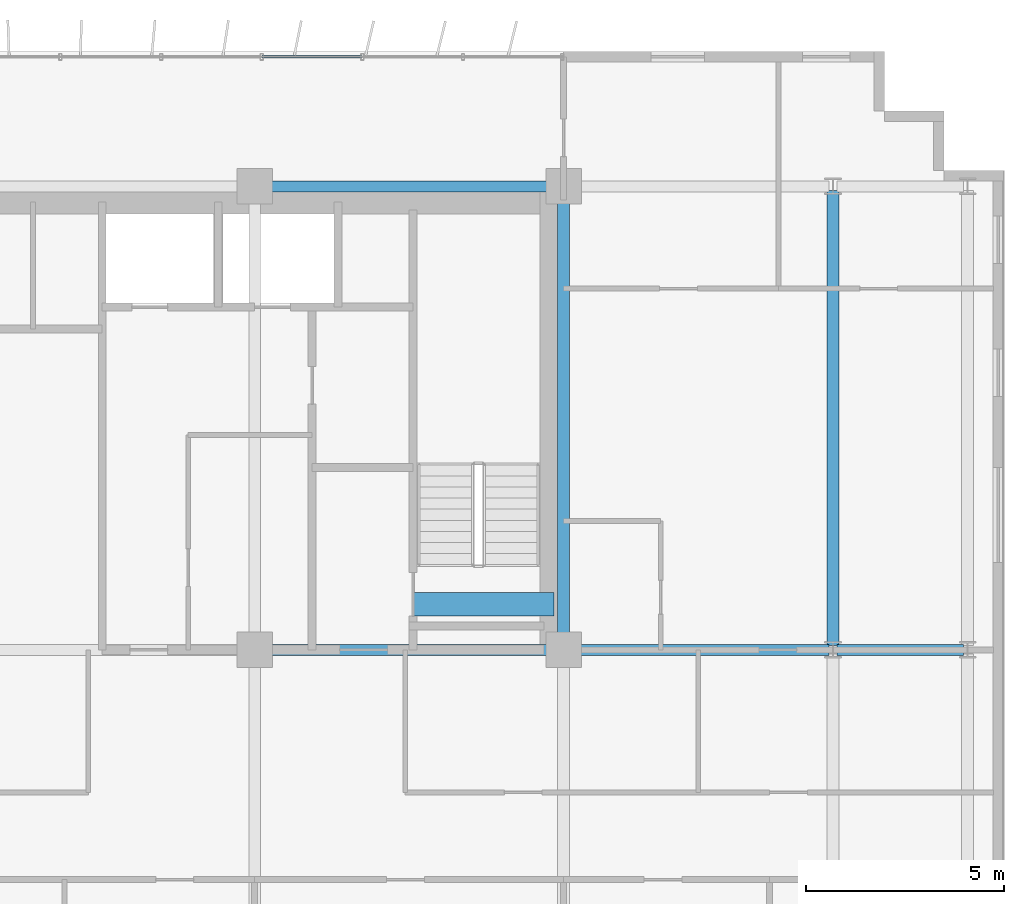
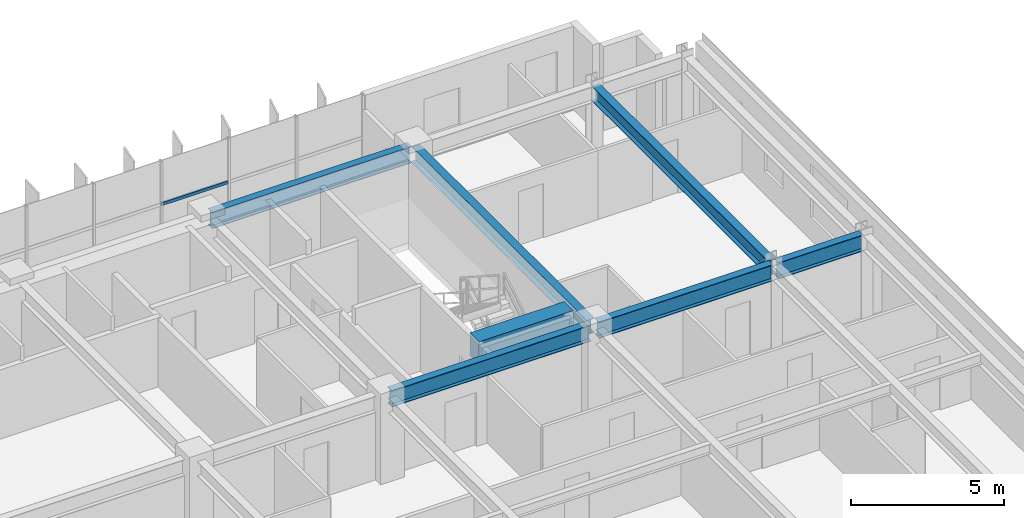
# One storey, part 11 of 22: 7 beams, 1 member, 1 element without a shape of its own.
"""IFC4 building model written with IfcOpenShell, lengths in metres."""

from ifc_helpers import new_model, si_unit, direction, frame, origin, origin_2d, place, context, subcontext, project, spatial, rectangle, hollow_rectangle, i_section, extrude, source, transform, mapped, material, material_profile, profile_set, type_object, element, aggregate, save


model = new_model("IFC4")

# Units and contexts
model_context = context("Model", 3, precision=1e-05, world=origin(), true_north=direction((0.0, 1.0)))
body_context = subcontext(model_context, "Body", "Model", "MODEL_VIEW")
ifc_project = project(units=[si_unit("LENGTHUNIT", "METRE"), si_unit("AREAUNIT", "SQUARE_METRE"), si_unit("VOLUMEUNIT", "CUBIC_METRE"), si_unit("PLANEANGLEUNIT", "RADIAN"), si_unit("MASSUNIT", "GRAM", prefix="KILO")], contexts=[model_context])

# Site, building, storey
site_placement = place(None, origin())
site = spatial("IfcSite", under=ifc_project, at=site_placement, CompositionType="ELEMENT")
building_placement = place(site_placement, origin())
building = spatial("IfcBuilding", under=site, at=building_placement, Name="Trelvane Seafront Commons", CompositionType="ELEMENT")
storey_placement = place(building_placement, frame((0.0, 0.0, 52.300048828125)))
storey = spatial("IfcBuildingStorey", under=building, at=storey_placement, Name="L13", CompositionType="ELEMENT", Elevation=52.300048828125)

# Beams
ifc_material_1 = material(Name="Concrete C60/75", Category="concrete")
ifc_material_profile_1 = material_profile(ifc_material_1, rectangle(XDim=0.60009765625, YDim=0.89990234375, at=origin_2d()), Name="RC-600x900")
ifc_profile_set_1 = profile_set([ifc_material_profile_1], Name="Concrete C60/75")
beam_type_1 = type_object("IfcBeamType", Name="STR-LNT-RC600x900", PredefinedType="LINTEL", material=ifc_profile_set_1)
shared_shape_1 = source(origin(), body_context, "Body", "SweptSolid", [
    extrude(rectangle(XDim=0.60009765625, YDim=0.89990234375, at=origin_2d()), origin(), (0.0, 0.0, 1.0), 3.550048828125),
])
beam_1_placement = place(storey_placement, frame((55.0, 34.550048828125, 2.889892578125), z_axis=(1.0, 0.0, 0.0), x_axis=(0.0, 1.0, 0.0)))
element("IfcBeam", 1, at=beam_1_placement, inside=storey, type_object=beam_type_1, Name="L13 Core Coupling Lintel Beam CB-86", PredefinedType="LINTEL", context=body_context, shape_type="MappedRepresentation", body=[
    mapped(shared_shape_1, transform((0.0, 0.0, 0.0), x_axis=(1.0, 0.0, 0.0), y_axis=(0.0, 1.0, 0.0), z_axis=(0.0, 0.0, 1.0), scale=1.0)),
])
ifc_material_2 = material(Name="Steel SM355 (S355)", Category="steel")
ifc_material_profile_2 = material_profile(ifc_material_2, i_section(OverallWidth=0.280029296875, OverallDepth=0.64990234375, WebThickness=0.012939453125, FlangeThickness=0.02197265625, at=origin_2d()), Name="H-650x280x13x22")
ifc_profile_set_2 = profile_set([ifc_material_profile_2], Name="Steel SM355 (S355)")
beam_type_2 = type_object("IfcBeamType", Name="STR-BM-H650", PredefinedType="BEAM", material=ifc_profile_set_2)
shared_shape_2 = source(origin(), body_context, "Body", "SweptSolid", [
    extrude(i_section(OverallWidth=0.280029296875, OverallDepth=0.64990234375, WebThickness=0.012939453125, FlangeThickness=0.02197265625, at=origin_2d()), origin(), (0.0, 0.0, 1.0), 3.18994140625),
])
beam_2_placement = place(storey_placement, frame((65.705078125, 33.39990234375, 3.014892578125), z_axis=(1.0, 0.0, 0.0), x_axis=(0.0, 1.0, 0.0)))
element("IfcBeam", 2, at=beam_2_placement, inside=storey, type_object=beam_type_2, Name="L13 Primary Girder G-27", PredefinedType="BEAM", context=body_context, shape_type="MappedRepresentation", body=[
    mapped(shared_shape_2, transform((0.0, 0.0, 0.0), x_axis=(1.0, 0.0, 0.0), y_axis=(0.0, 1.0, 0.0), z_axis=(0.0, 0.0, 1.0), scale=1.0)),
])
shared_shape_3 = source(origin(), body_context, "Body", "SweptSolid", [
    extrude(i_section(OverallWidth=0.280029296875, OverallDepth=0.64990234375, WebThickness=0.012939453125, FlangeThickness=0.02197265625, at=origin_2d()), origin(), (0.0, 0.0, 1.0), 6.545166015625),
])
beam_3_placement = place(storey_placement, frame((58.949951171875, 33.39990234375, 3.014892578125), z_axis=(1.0, 0.0, 0.0), x_axis=(0.0, 1.0, 0.0)))
element("IfcBeam", 3, at=beam_3_placement, inside=storey, type_object=beam_type_2, Name="L13 Primary Girder G-26", PredefinedType="BEAM", context=body_context, shape_type="MappedRepresentation", body=[
    mapped(shared_shape_3, transform((0.0, 0.0, 0.0), x_axis=(1.0, 0.0, 0.0), y_axis=(0.0, 1.0, 0.0), z_axis=(0.0, 0.0, 1.0), scale=1.0)),
])
shared_shape_4 = source(origin(), body_context, "Body", "SweptSolid", [
    extrude(i_section(OverallWidth=0.280029296875, OverallDepth=0.64990234375, WebThickness=0.012939453125, FlangeThickness=0.02197265625, at=origin_2d()), origin(), (0.0, 0.0, 1.0), 7.5),
])
for number, where, z_axis, x_axis, name in (
    (4, (51.14990234375, 33.39990234375, 3.014892578125), (1.0, 0.0, 0.0), (0.0, 1.0, 0.0), "L13 Primary Girder G-25"),
    (5, (51.14990234375, 45.10009765625, 3.014892578125), (1.0, 0.0, 0.0), (0.0, 1.0, 0.0), "L13 Primary Girder G-34"),
):
    element("IfcBeam", number, at=place(storey_placement, frame(where, z_axis=z_axis, x_axis=x_axis)), inside=storey, type_object=beam_type_2, Name=name, PredefinedType="BEAM", context=body_context, shape_type="MappedRepresentation", body=[
        mapped(shared_shape_4, transform((0.0, 0.0, 0.0), x_axis=(1.0, 0.0, 0.0), y_axis=(0.0, 1.0, 0.0), z_axis=(0.0, 0.0, 1.0), scale=1.0)),
    ])
ifc_material_profile_3 = material_profile(ifc_material_2, i_section(OverallWidth=0.300048828125, OverallDepth=0.587890625, WebThickness=0.011962890625, FlangeThickness=0.02001953125, at=origin_2d()), Name="H-588x300x12x20")
ifc_profile_set_3 = profile_set([ifc_material_profile_3], Name="Steel SM355 (S355)")
beam_type_3 = type_object("IfcBeamType", Name="STR-BM-H588", PredefinedType="BEAM", material=ifc_profile_set_3)
shared_shape_5 = source(origin(), body_context, "Body", "SweptSolid", [
    extrude(i_section(OverallWidth=0.300048828125, OverallDepth=0.587890625, WebThickness=0.011962890625, FlangeThickness=0.02001953125, at=origin_2d()), origin(), (0.0, 0.0, 1.0), 11.490234375),
])
beam_4_placement = place(storey_placement, frame((65.60009765625, 33.5048828125, 3.0458984375), z_axis=(0.0, 1.0, 0.0), x_axis=(-1.0, 0.0, 0.0)))
element("IfcBeam", 6, at=beam_4_placement, inside=storey, type_object=beam_type_3, Name="L13 Primary Girder G-63", PredefinedType="BEAM", context=body_context, shape_type="MappedRepresentation", body=[
    mapped(shared_shape_5, transform((0.0, 0.0, 0.0), x_axis=(1.0, 0.0, 0.0), y_axis=(0.0, 1.0, 0.0), z_axis=(0.0, 0.0, 1.0), scale=1.0)),
])
shared_shape_6 = source(origin(), body_context, "Body", "SweptSolid", [
    extrude(i_section(OverallWidth=0.300048828125, OverallDepth=0.587890625, WebThickness=0.011962890625, FlangeThickness=0.02001953125, at=origin_2d()), origin(), (0.0, 0.0, 1.0), 11.39990234375),
])
beam_5_placement = place(storey_placement, frame((58.800048828125, 33.550048828125, 3.0458984375), z_axis=(0.0, 1.0, 0.0), x_axis=(-1.0, 0.0, 0.0)))
element("IfcBeam", 7, at=beam_5_placement, inside=storey, type_object=beam_type_3, Name="L13 Primary Girder G-60", PredefinedType="BEAM", context=body_context, shape_type="MappedRepresentation", body=[
    mapped(shared_shape_6, transform((0.0, 0.0, 0.0), x_axis=(1.0, 0.0, 0.0), y_axis=(0.0, 1.0, 0.0), z_axis=(0.0, 0.0, 1.0), scale=1.0)),
])

# Curtain wall, member
ifc_material_3 = material(Name="Anodised pale-silver aluminium", Category="aluminium")
curtain_wall_type = type_object("IfcCurtainWallType", Name="ARCH-CW2-LOWTOWER", PredefinedType="NOTDEFINED", material=ifc_material_3)
curtain_wall_placement = place(storey_placement, origin())
curtain_wall = element("IfcCurtainWall", 8, at=curtain_wall_placement, inside=storey, type_object=curtain_wall_type, Name="CW-L13-0037", PredefinedType="NOTDEFINED")
ifc_material_profile_4 = material_profile(ifc_material_3, hollow_rectangle(XDim=0.070068359375, YDim=0.1201171875, WallThickness=0.00390625, at=origin_2d()), Name="TRAN-70x120x4")
ifc_profile_set_4 = profile_set([ifc_material_profile_4], Name="Anodised pale-silver aluminium")
member_type = type_object("IfcMemberType", Name="ARCH-CW-TRAN-120", PredefinedType="USERDEFINED", material=ifc_profile_set_4)
shared_shape_7 = source(origin(), body_context, "Body", "SweptSolid", [
    extrude(hollow_rectangle(XDim=0.070068359375, YDim=0.1201171875, WallThickness=0.00390625, at=origin_2d()), origin(), (0.0, 0.0, 1.0), 2.51708984375),
])
member_placement = place(storey_placement, frame((51.1884765625, 48.3701171875, 1.60302734375), z_axis=(1.0, 0.0, 0.0), x_axis=(0.0, 1.0, 0.0)))
member = element("IfcMember", 9, at=member_placement, type_object=member_type, Name="CW-L13-0037-T14", ObjectType="TRANSOM", PredefinedType="USERDEFINED", context=body_context, shape_type="MappedRepresentation", body=[
    mapped(shared_shape_7, transform((0.0, 0.0, 0.0), x_axis=(1.0, 0.0, 0.0), y_axis=(0.0, 1.0, 0.0), z_axis=(0.0, 0.0, 1.0), scale=1.0)),
])
aggregate(curtain_wall, [member])

save(model, "model.ifc")
